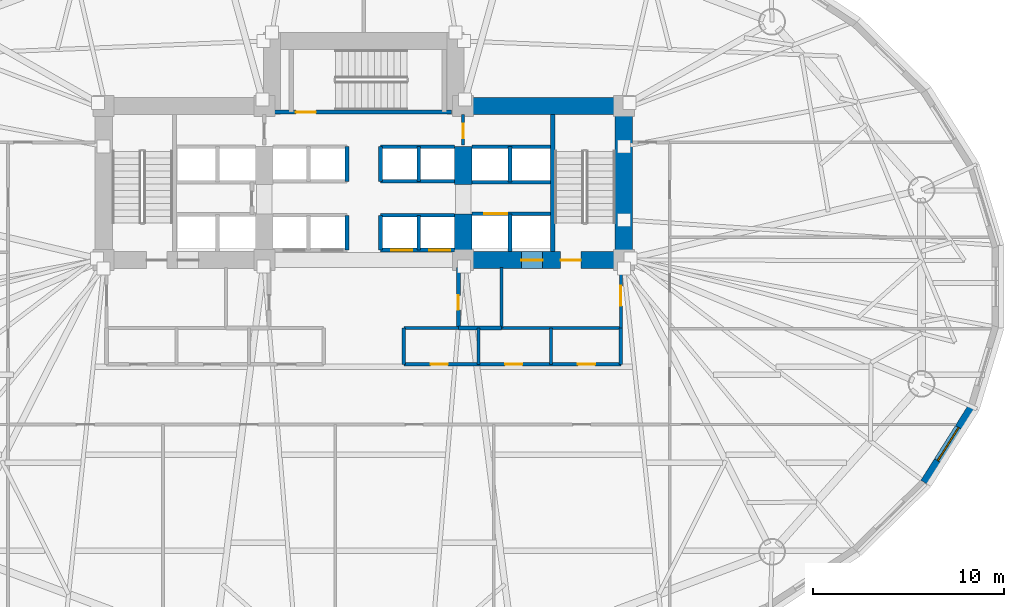
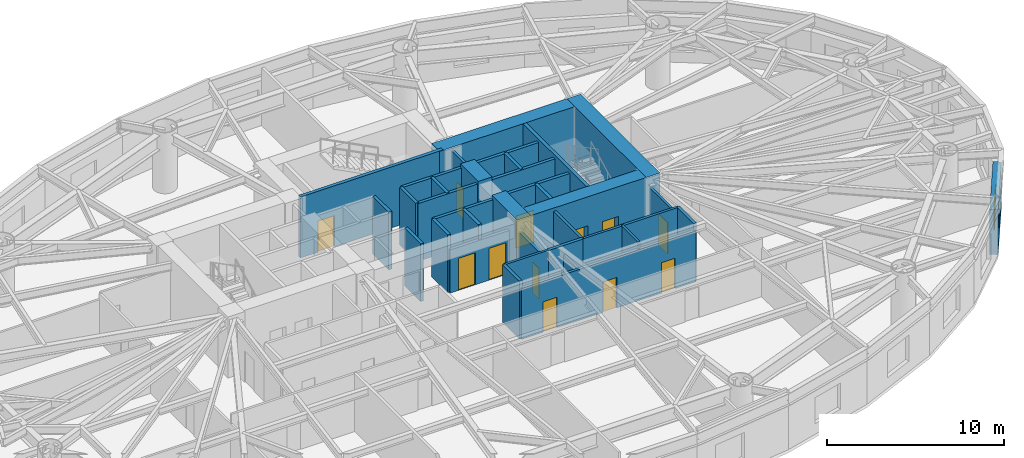
# One storey, part 7 of 14: 35 walls, 12 doors, 1 window, 13 openings.
"""IFC4 building model written with IfcOpenShell, lengths in metres."""

from ifc_helpers import new_model, si_unit, direction, frame, frame_2d, origin, place, context, subcontext, project, spatial, rectangle, extrude, material, layer, layer_set, type_object, element, fill, save


model = new_model("IFC4")

# Units and contexts
model_context = context("Model", 3, precision=1e-05, world=origin(), true_north=direction((0.0, 1.0)))
body_context = subcontext(model_context, "Body", "Model", "MODEL_VIEW")
ifc_project = project(units=[si_unit("LENGTHUNIT", "METRE"), si_unit("AREAUNIT", "SQUARE_METRE"), si_unit("VOLUMEUNIT", "CUBIC_METRE"), si_unit("PLANEANGLEUNIT", "RADIAN"), si_unit("MASSUNIT", "GRAM", prefix="KILO")], contexts=[model_context])

# Site, building, storey
site_placement = place(None, origin())
site = spatial("IfcSite", under=ifc_project, at=site_placement, CompositionType="ELEMENT")
building_placement = place(site_placement, origin())
building = spatial("IfcBuilding", under=site, at=building_placement, Name="Keldmark Tower", CompositionType="ELEMENT")
storey_placement = place(building_placement, frame((0.0, 0.0, 18.60009765625)))
storey = spatial("IfcBuildingStorey", under=building, at=storey_placement, Name="L04", CompositionType="ELEMENT", Elevation=18.60009765625)

# Wall, openings, doors
ifc_material_1 = material(Name="Heavy Acoustic Plumbing Chase Gypsum Assembly", Category="gypsum")
ifc_layer_1 = layer(ifc_material_1, 0.18994140625)
ifc_layer_set_1 = layer_set([ifc_layer_1], Name="Heavy Acoustic Plumbing Chase Gypsum Assembly")
wall_type_1 = type_object("IfcWallType", Name="Heavy Wet Wall 190 mm", PredefinedType="PLUMBINGWALL", material=ifc_layer_set_1)
wall_1_placement = place(storey_placement, frame((2.10009765625, -4.050048828125, 0.0), z_axis=(0.0, 0.0, 1.0), x_axis=(1.0, 0.0, 0.0)))
wall_1 = element("IfcWall", 1, at=wall_1_placement, inside=storey, type_object=wall_type_1, Name="L04 Heavy Wet Wall 190 mm SPK-E-S", PredefinedType="PLUMBINGWALL", context=body_context, shape_type="SweptSolid", body=[
    extrude(rectangle(XDim=11.349853515625, YDim=0.18994140625, at=frame_2d((5.6748046875, 0.0))), origin(), (0.0, 0.0, 1.0), 3.5068359375),
])
opening_1_placement = place(wall_1_placement, frame((1.39990234375, 0.0, 0.0)))
opening_1 = element("IfcOpeningElement", 2, at=opening_1_placement, cuts=wall_1, Name="Opening D-IN090", PredefinedType="OPENING", context=body_context, shape_type="SweptSolid", body=[
    extrude(rectangle(XDim=0.89990234375, YDim=2.10009765625, at=frame_2d((0.449951171875, 1.050048828125))), frame((0.0, 0.10498046875, 0.0), z_axis=(0.0, -1.0, 0.0), x_axis=(1.0, 0.0, 0.0)), (0.0, 0.0, 1.0), 0.2099609375),
])
opening_2_placement = place(wall_1_placement, frame((5.300048828125, 0.0, 0.0)))
opening_2 = element("IfcOpeningElement", 3, at=opening_2_placement, cuts=wall_1, Name="Opening D-IN090", PredefinedType="OPENING", context=body_context, shape_type="SweptSolid", body=[
    extrude(rectangle(XDim=0.89990234375, YDim=2.10009765625, at=frame_2d((0.449951171875, 1.050048828125))), frame((0.0, 0.10498046875, 0.0), z_axis=(0.0, -1.0, 0.0), x_axis=(1.0, 0.0, 0.0)), (0.0, 0.0, 1.0), 0.2099609375),
])
opening_3_placement = place(wall_1_placement, frame((9.10009765625, 0.0, 0.0)))
opening_3 = element("IfcOpeningElement", 4, at=opening_3_placement, cuts=wall_1, Name="Opening D-IN090", PredefinedType="OPENING", context=body_context, shape_type="SweptSolid", body=[
    extrude(rectangle(XDim=0.89990234375, YDim=2.10009765625, at=frame_2d((0.449951171875, 1.050048828125))), frame((0.0, 0.10498046875, 0.0), z_axis=(0.0, -1.0, 0.0), x_axis=(1.0, 0.0, 0.0)), (0.0, 0.0, 1.0), 0.2099609375),
])
ifc_material_2 = material(Name="Stained American White Oak Veneer", Category="wood")
door_type_1 = type_object("IfcDoorType", Name="Interior Door 900x2100", OperationType="NOTDEFINED", PredefinedType="DOOR", material=ifc_material_2)
door_1_placement = place(opening_1_placement, origin())
door_1 = element("IfcDoor", 5, at=door_1_placement, inside=storey, type_object=door_type_1, Name="L04 Interior Door 900x2100 D-SPKE1-L04", OperationType="SINGLE_SWING_RIGHT", OverallHeight=2.10009765625, OverallWidth=0.89990234375, PredefinedType="DOOR", context=body_context, shape_type="SweptSolid", body=[
    extrude(rectangle(XDim=0.89990234375, YDim=2.10009765625, at=frame_2d((0.449951171875, 1.050048828125))), frame((0.0, 0.02490234375, 0.0), z_axis=(0.0, -1.0, 0.0), x_axis=(1.0, 0.0, 0.0)), (0.0, 0.0, 1.0), 0.050048828125),
])
fill(opening_1, door_1)
door_2_placement = place(opening_2_placement, origin())
door_2 = element("IfcDoor", 6, at=door_2_placement, inside=storey, type_object=door_type_1, Name="L04 Interior Door 900x2100 D-SPKE2-L04", OperationType="SINGLE_SWING_LEFT", OverallHeight=2.10009765625, OverallWidth=0.89990234375, PredefinedType="DOOR", context=body_context, shape_type="SweptSolid", body=[
    extrude(rectangle(XDim=0.89990234375, YDim=2.10009765625, at=frame_2d((0.449951171875, 1.050048828125))), frame((0.0, 0.02490234375, 0.0), z_axis=(0.0, -1.0, 0.0), x_axis=(1.0, 0.0, 0.0)), (0.0, 0.0, 1.0), 0.050048828125),
])
fill(opening_2, door_2)
door_3_placement = place(opening_3_placement, origin())
door_3 = element("IfcDoor", 7, at=door_3_placement, inside=storey, type_object=door_type_1, Name="L04 Interior Door 900x2100 D-SPKE3-L04", OperationType="SINGLE_SWING_RIGHT", OverallHeight=2.10009765625, OverallWidth=0.89990234375, PredefinedType="DOOR", context=body_context, shape_type="SweptSolid", body=[
    extrude(rectangle(XDim=0.89990234375, YDim=2.10009765625, at=frame_2d((0.449951171875, 1.050048828125))), frame((0.0, 0.02490234375, 0.0), z_axis=(0.0, -1.0, 0.0), x_axis=(1.0, 0.0, 0.0)), (0.0, 0.0, 1.0), 0.050048828125),
])
fill(opening_3, door_3)

# Walls
for number, where, z_axis, x_axis, name in (
    (8, (2.10009765625, -4.050048828125, 0.0), (0.0, 0.0, 1.0), (0.0, 1.0, 0.0), "L04 Heavy Wet Wall 190 mm SPK-E-W"),
    (9, (13.449951171875, -4.050048828125, 0.0), (0.0, 0.0, 1.0), (0.0, 1.0, 0.0), "L04 Heavy Wet Wall 190 mm SPK-E-E"),
):
    element("IfcWall", number, at=place(storey_placement, frame(where, z_axis=z_axis, x_axis=x_axis)), inside=storey, type_object=wall_type_1, Name=name, PredefinedType="PLUMBINGWALL", context=body_context, shape_type="SweptSolid", body=[
        extrude(rectangle(XDim=1.900146484375, YDim=0.18994140625, at=frame_2d((0.9501953125, 0.0))), origin(), (0.0, 0.0, 1.0), 3.97998046875),
    ])
ifc_material_3 = material(Name="Concrete C70/85", Category="concrete")
ifc_layer_2 = layer(ifc_material_3, 0.89990234375)
ifc_layer_set_2 = layer_set([ifc_layer_2], Name="Concrete C70/85")
wall_type_2 = type_object("IfcWallType", Name="Lower Core Shear Wall 900 mm", PredefinedType="SHEAR", material=ifc_layer_set_2)
wall_2_placement = place(storey_placement, frame((13.60009765625, 0.949951171875, 0.0), z_axis=(0.0, 0.0, 1.0), x_axis=(0.0, 1.0, 0.0)))
element("IfcWall", 10, at=wall_2_placement, inside=storey, type_object=wall_type_2, Name="L04 East Core Outer Shear Wall", PredefinedType="SHEAR", context=body_context, shape_type="SweptSolid", body=[
    extrude(rectangle(XDim=8.949951171875, YDim=0.89990234375, at=frame_2d((4.47509765625, 0.0))), origin(), (0.0, 0.0, 1.0), 4.199951171875),
])
wall_3_placement = place(storey_placement, frame((4.35009765625, 9.449951171875, 0.0), z_axis=(0.0, 0.0, 1.0), x_axis=(1.0, 0.0, 0.0)))
element("IfcWall", 11, at=wall_3_placement, inside=storey, type_object=wall_type_2, Name="L04 East Core North Shear Wall", PredefinedType="SHEAR", context=body_context, shape_type="SweptSolid", body=[
    extrude(rectangle(XDim=9.699951171875, YDim=0.89990234375, at=frame_2d((4.85009765625, 0.0))), origin(), (0.0, 0.0, 1.0), 4.199951171875),
])

# Wall, openings, doors
wall_4_placement = place(storey_placement, frame((14.050048828125, 1.39990234375, 0.0), z_axis=(0.0, 0.0, 1.0), x_axis=(-1.0, 0.0, 0.0)))
wall_4 = element("IfcWall", 12, at=wall_4_placement, inside=storey, type_object=wall_type_2, Name="L04 East Core South Shear Wall", PredefinedType="SHEAR", context=body_context, shape_type="SweptSolid", body=[
    extrude(rectangle(XDim=9.300048828125, YDim=0.89990234375, at=frame_2d((4.64990234375, 0.0))), origin(), (0.0, 0.0, 1.0), 4.199951171875),
])
opening_4_placement = place(wall_4_placement, frame((2.699951171875, 0.0, 0.0)))
opening_4 = element("IfcOpeningElement", 13, at=opening_4_placement, cuts=wall_4, Name="Opening D-ST105", PredefinedType="OPENING", context=body_context, shape_type="SweptSolid", body=[
    extrude(rectangle(XDim=1.050048828125, YDim=2.14990234375, at=frame_2d((0.52490234375, 1.074951171875))), frame((0.0, 0.4599609375, 0.0), z_axis=(0.0, -1.0, 0.0), x_axis=(1.0, 0.0, 0.0)), (0.0, 0.0, 1.0), 0.919921875),
])
opening_5_placement = place(wall_4_placement, frame((4.699951171875, 0.0, 0.0)))
opening_5 = element("IfcOpeningElement", 14, at=opening_5_placement, cuts=wall_4, Name="Opening LD-110", PredefinedType="OPENING", context=body_context, shape_type="SweptSolid", body=[
    extrude(rectangle(XDim=1.10009765625, YDim=2.199951171875, at=frame_2d((0.550048828125, 1.10009765625))), frame((0.0, 0.4599609375, 0.0), z_axis=(0.0, -1.0, 0.0), x_axis=(1.0, 0.0, 0.0)), (0.0, 0.0, 1.0), 0.919921875),
])
ifc_material_4 = material(Name="Brushed Bronze Hoistway Sliding Leaf", Category="metal")
door_type_2 = type_object("IfcDoorType", Name="Lift Landing Sliding Door 1100x2200", OperationType="SLIDING_TO_LEFT", PredefinedType="DOOR", material=ifc_material_4)
door_4_placement = place(opening_5_placement, origin())
door_4 = element("IfcDoor", 15, at=door_4_placement, inside=storey, type_object=door_type_2, Name="L04 Lift Landing Sliding Door 1100x2200 LD-EL-FS2-L04", OperationType="SLIDING_TO_LEFT", OverallHeight=2.199951171875, OverallWidth=1.10009765625, PredefinedType="DOOR", context=body_context, shape_type="SweptSolid", body=[
    extrude(rectangle(XDim=1.10009765625, YDim=2.199951171875, at=frame_2d((0.550048828125, 1.10009765625))), frame((0.0, 0.02490234375, 0.0), z_axis=(0.0, -1.0, 0.0), x_axis=(1.0, 0.0, 0.0)), (0.0, 0.0, 1.0), 0.050048828125),
])
fill(opening_5, door_4)
ifc_material_5 = material(Name="Hollow Metal Fire-Rated Door Assembly", Category="metal")
door_type_3 = type_object("IfcDoorType", Name="Stair Fire Door 1050x2150", OperationType="NOTDEFINED", PredefinedType="DOOR", material=ifc_material_5)
door_5_placement = place(opening_4_placement, origin())
door_5 = element("IfcDoor", 16, at=door_5_placement, inside=storey, type_object=door_type_3, Name="L04 Stair Fire Door 1050x2150 D-ST2-L04", OperationType="SINGLE_SWING_LEFT", OverallHeight=2.14990234375, OverallWidth=1.050048828125, PredefinedType="DOOR", context=body_context, shape_type="SweptSolid", body=[
    extrude(rectangle(XDim=1.050048828125, YDim=2.14990234375, at=frame_2d((0.52490234375, 1.074951171875))), frame((0.0, 0.02490234375, 0.0), z_axis=(0.0, -1.0, 0.0), x_axis=(1.0, 0.0, 0.0)), (0.0, 0.0, 1.0), 0.050048828125),
])
fill(opening_4, door_5)

# Walls
wall_5_placement = place(storey_placement, frame((5.199951171875, 0.949951171875, 0.0), z_axis=(0.0, 0.0, 1.0), x_axis=(0.0, 1.0, 0.0)))
element("IfcWall", 17, at=wall_5_placement, inside=storey, type_object=wall_type_2, Name="L04 East Core Inner Shear Pier South", PredefinedType="SHEAR", context=body_context, shape_type="SweptSolid", body=[
    extrude(rectangle(XDim=2.85009765625, YDim=0.89990234375, at=frame_2d((1.425048828125, 0.0))), origin(), (0.0, 0.0, 1.0), 4.199951171875),
])
wall_6_placement = place(storey_placement, frame((5.199951171875, 5.35009765625, 0.0), z_axis=(0.0, 0.0, 1.0), x_axis=(0.0, 1.0, 0.0)))
element("IfcWall", 18, at=wall_6_placement, inside=storey, type_object=wall_type_2, Name="L04 East Core Inner Shear Pier North", PredefinedType="SHEAR", context=body_context, shape_type="SweptSolid", body=[
    extrude(rectangle(XDim=2.0, YDim=0.89990234375, at=frame_2d((1.0, 0.0))), origin(), (0.0, 0.0, 1.0), 4.199951171875),
])

# Wall, opening, window
ifc_material_6 = material(Name="Ironspot Manganese Brick and Kasota Buff Limestone Cavity Assembly", Category="masonry")
ifc_layer_3 = layer(ifc_material_6, 0.47998046875)
ifc_layer_set_3 = layer_set([ifc_layer_3], Name="Ironspot Manganese Brick and Kasota Buff Limestone Cavity Assembly")
wall_type_3 = type_object("IfcWallType", Name="Podium Brick and Limestone Cavity Wall 480 mm", PredefinedType="STANDARD", material=ifc_layer_set_3)
wall_7_placement = place(storey_placement, frame((31.8544921875, -6.25830078125, 0.0), z_axis=(0.0, 0.0, 1.0), x_axis=(-0.53349762721, -0.845801561693, 0.0)))
wall_7 = element("IfcWall", 19, at=wall_7_placement, inside=storey, type_object=wall_type_3, Name="L04 Exterior Brick and Spandrel Wall 30", PredefinedType="STANDARD", context=body_context, shape_type="SweptSolid", body=[
    extrude(rectangle(XDim=4.710693359375, YDim=0.47998046875, at=frame_2d((2.35546875, 0.0))), origin(), (0.0, 0.0, 1.0), 3.10888671875),
])
opening_6_placement = place(wall_7_placement, frame((1.330322265625, 0.0, 0.719970703125)))
opening_6 = element("IfcOpeningElement", 20, at=opening_6_placement, cuts=wall_7, Name="Opening W-07", PredefinedType="OPENING", context=body_context, shape_type="SweptSolid", body=[
    extrude(rectangle(XDim=2.050048828125, YDim=1.800048828125, at=frame_2d((1.02490234375, 0.89990234375))), frame((0.0, 0.25, 0.0), z_axis=(0.0, -1.0, 0.0), x_axis=(1.0, 0.0, 0.0)), (0.0, 0.0, 1.0), 0.5),
])
ifc_material_7 = material(Name="Thermally Broken Anodized Aluminum and Triple Low-E Argon Glazing", Category="aluminium")
window_type = type_object("IfcWindowType", Name="Podium Mezzanine Punched Window 2050x1800", PartitioningType="DOUBLE_PANEL_VERTICAL", PredefinedType="WINDOW", material=ifc_material_7)
window_placement = place(opening_6_placement, origin())
window = element("IfcWindow", 21, at=window_placement, inside=storey, type_object=window_type, Name="L04 Deep-Set Window 30", OverallHeight=1.800048828125, OverallWidth=2.050048828125, PartitioningType="SINGLE_PANEL", PredefinedType="WINDOW", context=body_context, shape_type="SweptSolid", body=[
    extrude(rectangle(XDim=2.050048828125, YDim=1.800048828125, at=frame_2d((1.02490234375, 0.89990234375))), frame((0.0, -0.010009765625, 0.0), z_axis=(0.0, -1.0, 0.0), x_axis=(1.0, 0.0, 0.0)), (0.0, 0.0, 1.0), 0.06005859375),
])
fill(opening_6, window)

# Walls
ifc_material_8 = material(Name="Type X Fire-Rated Gypsum Partition Assembly", Category="gypsum")
ifc_layer_4 = layer(ifc_material_8, 0.1650390625)
ifc_layer_set_4 = layer_set([ifc_layer_4], Name="Type X Fire-Rated Gypsum Partition Assembly")
wall_type_4 = type_object("IfcWallType", Name="Rated Partition 165 mm", PredefinedType="PARTITIONING", material=ifc_layer_set_4)
wall_8_placement = place(storey_placement, frame((7.199951171875, -2.14990234375, 0.0), z_axis=(0.0, 0.0, 1.0), x_axis=(1.0, 0.0, 0.0)))
element("IfcWall", 22, at=wall_8_placement, inside=storey, type_object=wall_type_4, Name="L04 Rated Partition 165 mm FSAE-E-S", PredefinedType="PARTITIONING", context=body_context, shape_type="SweptSolid", body=[
    extrude(rectangle(XDim=6.25, YDim=0.1650390625, at=frame_2d((3.125, 0.0))), origin(), (0.0, 0.0, 1.0), 3.97998046875),
])
wall_9_placement = place(storey_placement, frame((7.199951171875, -2.14990234375, 0.0), z_axis=(0.0, 0.0, 1.0), x_axis=(0.0, 1.0, 0.0)))
element("IfcWall", 23, at=wall_9_placement, inside=storey, type_object=wall_type_4, Name="L04 Rated Partition 165 mm FSAE-E-W", PredefinedType="PARTITIONING", context=body_context, shape_type="SweptSolid", body=[
    extrude(rectangle(XDim=3.14990234375, YDim=0.1650390625, at=frame_2d((1.574951171875, 0.0))), origin(), (0.0, 0.0, 1.0), 3.97998046875),
])

# Wall, opening, door
wall_10_placement = place(storey_placement, frame((13.449951171875, -2.14990234375, 0.0), z_axis=(0.0, 0.0, 1.0), x_axis=(0.0, 1.0, 0.0)))
wall_10 = element("IfcWall", 24, at=wall_10_placement, inside=storey, type_object=wall_type_4, Name="L04 Rated Partition 165 mm FSAE-E-E", PredefinedType="PARTITIONING", context=body_context, shape_type="SweptSolid", body=[
    extrude(rectangle(XDim=3.14990234375, YDim=0.1650390625, at=frame_2d((1.574951171875, 0.0))), origin(), (0.0, 0.0, 1.0), 3.432861328125),
])
opening_7_placement = place(wall_10_placement, frame((1.14990234375, 0.0, 0.0)))
opening_7 = element("IfcOpeningElement", 25, at=opening_7_placement, cuts=wall_10, Name="Opening D-FL105", PredefinedType="OPENING", context=body_context, shape_type="SweptSolid", body=[
    extrude(rectangle(XDim=1.050048828125, YDim=2.14990234375, at=frame_2d((0.52490234375, 1.074951171875))), frame((0.0, 0.092529296875, 0.0), z_axis=(0.0, -1.0, 0.0), x_axis=(1.0, 0.0, 0.0)), (0.0, 0.0, 1.0), 0.18505859375),
])
ifc_material_9 = material(Name="Fire-Rated Mineral-Core Door and Vision Lite", Category="metal")
door_type_4 = type_object("IfcDoorType", Name="Fire Lobby Door 1050x2150", OperationType="NOTDEFINED", PredefinedType="DOOR", material=ifc_material_9)
door_6_placement = place(opening_7_placement, origin())
door_6 = element("IfcDoor", 26, at=door_6_placement, inside=storey, type_object=door_type_4, Name="L04 Fire Lobby Door 1050x2150 D-FSAEE-OUT-L04", OperationType="SINGLE_SWING_LEFT", OverallHeight=2.14990234375, OverallWidth=1.050048828125, PredefinedType="DOOR", context=body_context, shape_type="SweptSolid", body=[
    extrude(rectangle(XDim=1.050048828125, YDim=2.14990234375, at=frame_2d((0.52490234375, 1.074951171875))), frame((0.0, 0.02490234375, 0.0), z_axis=(0.0, -1.0, 0.0), x_axis=(1.0, 0.0, 0.0)), (0.0, 0.0, 1.0), 0.050048828125),
])
fill(opening_7, door_6)

wall_11_placement = place(storey_placement, frame((5.199951171875, 7.419921875, 0.0), z_axis=(0.0, 0.0, 1.0), x_axis=(0.0, 1.0, 0.0)))
wall_11 = element("IfcWall", 27, at=wall_11_placement, inside=storey, type_object=wall_type_4, Name="L04 Rated Partition 165 mm CS-NE-W", PredefinedType="PARTITIONING", context=body_context, shape_type="SweptSolid", body=[
    extrude(rectangle(XDim=1.580078125, YDim=0.1650390625, at=frame_2d((0.7900390625, 0.0))), origin(), (0.0, 0.0, 1.0), 3.97998046875),
])
opening_8_placement = place(wall_11_placement, frame((0.35009765625, 0.0, 0.0)))
opening_8 = element("IfcOpeningElement", 28, at=opening_8_placement, cuts=wall_11, Name="Opening D-RS075", PredefinedType="OPENING", context=body_context, shape_type="SweptSolid", body=[
    extrude(rectangle(XDim=0.75, YDim=2.10009765625, at=frame_2d((0.375, 1.050048828125))), frame((0.0, 0.092529296875, 0.0), z_axis=(0.0, -1.0, 0.0), x_axis=(1.0, 0.0, 0.0)), (0.0, 0.0, 1.0), 0.18505859375),
])
ifc_material_10 = material(Name="Galvanized Fire-Rated Access Leaf", Category="metal")
door_type_5 = type_object("IfcDoorType", Name="Riser Access Door 750x2100", OperationType="NOTDEFINED", PredefinedType="DOOR", material=ifc_material_10)
door_7_placement = place(opening_8_placement, origin())
door_7 = element("IfcDoor", 29, at=door_7_placement, inside=storey, type_object=door_type_5, Name="L04 Riser Access Door 750x2100 D-CSNE1-L04", OperationType="SINGLE_SWING_LEFT", OverallHeight=2.10009765625, OverallWidth=0.75, PredefinedType="DOOR", context=body_context, shape_type="SweptSolid", body=[
    extrude(rectangle(XDim=0.75, YDim=2.10009765625, at=frame_2d((0.375, 1.050048828125))), frame((0.0, 0.02490234375, 0.0), z_axis=(0.0, -1.0, 0.0), x_axis=(1.0, 0.0, 0.0)), (0.0, 0.0, 1.0), 0.050048828125),
])
fill(opening_8, door_7)

# Wall
ifc_material_11 = material(Name="Fire-Resistant Type X Gypsum Shaftliner Coreboard", Category="gypsum")
ifc_layer_5 = layer(ifc_material_11, 0.199951171875)
ifc_layer_set_5 = layer_set([ifc_layer_5], Name="Fire-Resistant Type X Gypsum Shaftliner Coreboard")
wall_type_5 = type_object("IfcWallType", Name="Shaft Wall 200 mm", PredefinedType="SOLIDWALL", material=ifc_layer_set_5)
wall_12_placement = place(storey_placement, frame((4.949951171875, -2.14990234375, 0.0), z_axis=(0.0, 0.0, 1.0), x_axis=(1.0, 0.0, 0.0)))
element("IfcWall", 30, at=wall_12_placement, inside=storey, type_object=wall_type_5, Name="L04 Shaft Wall 200 mm RIS-SE-S", PredefinedType="SOLIDWALL", context=body_context, shape_type="SweptSolid", body=[
    extrude(rectangle(XDim=2.25, YDim=0.199951171875, at=frame_2d((1.125, 0.0))), origin(), (0.0, 0.0, 1.0), 3.97998046875),
])

# Wall, opening, door
wall_13_placement = place(storey_placement, frame((4.949951171875, -2.14990234375, 0.0), z_axis=(0.0, 0.0, 1.0), x_axis=(0.0, 1.0, 0.0)))
wall_13 = element("IfcWall", 31, at=wall_13_placement, inside=storey, type_object=wall_type_5, Name="L04 Shaft Wall 200 mm RIS-SE-W", PredefinedType="SOLIDWALL", context=body_context, shape_type="SweptSolid", body=[
    extrude(rectangle(XDim=3.14990234375, YDim=0.199951171875, at=frame_2d((1.574951171875, 0.0))), origin(), (0.0, 0.0, 1.0), 3.347900390625),
])
opening_9_placement = place(wall_13_placement, frame((0.949951171875, 0.0, 0.0)))
opening_9 = element("IfcOpeningElement", 32, at=opening_9_placement, cuts=wall_13, Name="Opening D-RS075", PredefinedType="OPENING", context=body_context, shape_type="SweptSolid", body=[
    extrude(rectangle(XDim=0.75, YDim=2.10009765625, at=frame_2d((0.375, 1.050048828125))), frame((0.0, 0.10986328125, 0.0), z_axis=(0.0, -1.0, 0.0), x_axis=(1.0, 0.0, 0.0)), (0.0, 0.0, 1.0), 0.219970703125),
])
door_8_placement = place(opening_9_placement, origin())
door_8 = element("IfcDoor", 33, at=door_8_placement, inside=storey, type_object=door_type_5, Name="L04 Riser Access Door 750x2100 D-RISSE-L04", OperationType="SINGLE_SWING_LEFT", OverallHeight=2.10009765625, OverallWidth=0.75, PredefinedType="DOOR", context=body_context, shape_type="SweptSolid", body=[
    extrude(rectangle(XDim=0.75, YDim=2.10009765625, at=frame_2d((0.375, 1.050048828125))), frame((0.0, 0.02490234375, 0.0), z_axis=(0.0, -1.0, 0.0), x_axis=(1.0, 0.0, 0.0)), (0.0, 0.0, 1.0), 0.050048828125),
])
fill(opening_9, door_8)

wall_14_placement = place(storey_placement, frame((5.64990234375, 3.820068359375, 0.0), z_axis=(0.0, 0.0, 1.0), x_axis=(1.0, 0.0, 0.0)))
wall_14 = element("IfcWall", 34, at=wall_14_placement, inside=storey, type_object=wall_type_5, Name="L04 Shaft Wall 200 mm HW-E-S", PredefinedType="SOLIDWALL", context=body_context, shape_type="SweptSolid", body=[
    extrude(rectangle(XDim=4.130126953125, YDim=0.199951171875, at=frame_2d((2.06494140625, 0.0))), origin(), (0.0, 0.0, 1.0), 3.97998046875),
])
opening_10_placement = place(wall_14_placement, frame((0.64990234375, 0.0, 0.0)))
opening_10 = element("IfcOpeningElement", 35, at=opening_10_placement, cuts=wall_14, Name="Opening LD-120", PredefinedType="OPENING", context=body_context, shape_type="SweptSolid", body=[
    extrude(rectangle(XDim=1.199951171875, YDim=2.199951171875, at=frame_2d((0.60009765625, 1.10009765625))), frame((0.0, 0.10986328125, 0.0), z_axis=(0.0, -1.0, 0.0), x_axis=(1.0, 0.0, 0.0)), (0.0, 0.0, 1.0), 0.219970703125),
])
ifc_material_12 = material(Name="Heavy-Duty Brushed Metal Hoistway Sliding Leaf", Category="metal")
door_type_6 = type_object("IfcDoorType", Name="Service Lift Sliding Door 1200x2200", OperationType="SLIDING_TO_RIGHT", PredefinedType="DOOR", material=ifc_material_12)
door_9_placement = place(opening_10_placement, origin())
door_9 = element("IfcDoor", 36, at=door_9_placement, inside=storey, type_object=door_type_6, Name="L04 Service Lift Sliding Door 1200x2200 LD-EL-SV1-L04", OperationType="SLIDING_TO_RIGHT", OverallHeight=2.199951171875, OverallWidth=1.199951171875, PredefinedType="DOOR", context=body_context, shape_type="SweptSolid", body=[
    extrude(rectangle(XDim=1.199951171875, YDim=2.199951171875, at=frame_2d((0.60009765625, 1.10009765625))), frame((0.0, 0.02490234375, 0.0), z_axis=(0.0, -1.0, 0.0), x_axis=(1.0, 0.0, 0.0)), (0.0, 0.0, 1.0), 0.050048828125),
])
fill(opening_10, door_9)

# Walls
wall_15_placement = place(storey_placement, frame((7.64990234375, 1.85009765625, 0.0), z_axis=(0.0, 0.0, 1.0), x_axis=(0.0, 1.0, 0.0)))
element("IfcWall", 37, at=wall_15_placement, inside=storey, type_object=wall_type_5, Name="L04 Shaft Wall 200 mm HW-E-M", PredefinedType="SOLIDWALL", context=body_context, shape_type="SweptSolid", body=[
    extrude(rectangle(XDim=1.969970703125, YDim=0.199951171875, at=frame_2d((0.98486328125, 0.0))), origin(), (0.0, 0.0, 1.0), 3.97998046875),
])
for number, where, z_axis, x_axis, name in (
    (38, (5.64990234375, 5.469970703125, 0.0), (0.0, 0.0, 1.0), (1.0, 0.0, 0.0), "L04 Shaft Wall 200 mm HW-E-N"),
    (39, (5.64990234375, 7.330078125, 0.0), (0.0, 0.0, 1.0), (1.0, 0.0, 0.0), "L04 Shaft Wall 200 mm HW-E-TOP"),
):
    element("IfcWall", number, at=place(storey_placement, frame(where, z_axis=z_axis, x_axis=x_axis)), inside=storey, type_object=wall_type_5, Name=name, PredefinedType="SOLIDWALL", context=body_context, shape_type="SweptSolid", body=[
        extrude(rectangle(XDim=4.130126953125, YDim=0.199951171875, at=frame_2d((2.06494140625, 0.0))), origin(), (0.0, 0.0, 1.0), 3.97998046875),
    ])
wall_16_placement = place(storey_placement, frame((7.64990234375, 5.469970703125, 0.0), z_axis=(0.0, 0.0, 1.0), x_axis=(0.0, 1.0, 0.0)))
element("IfcWall", 40, at=wall_16_placement, inside=storey, type_object=wall_type_5, Name="L04 Shaft Wall 200 mm HW-E-NM", PredefinedType="SOLIDWALL", context=body_context, shape_type="SweptSolid", body=[
    extrude(rectangle(XDim=1.860107421875, YDim=0.199951171875, at=frame_2d((0.93017578125, 0.0))), origin(), (0.0, 0.0, 1.0), 3.97998046875),
])

# Wall, openings, doors
wall_17_placement = place(storey_placement, frame((0.8798828125, 1.919921875, 0.0), z_axis=(0.0, 0.0, 1.0), x_axis=(1.0, 0.0, 0.0)))
wall_17 = element("IfcWall", 41, at=wall_17_placement, inside=storey, type_object=wall_type_5, Name="L04 Shaft Wall 200 mm LOW-S-E", PredefinedType="SOLIDWALL", context=body_context, shape_type="SweptSolid", body=[
    extrude(rectangle(XDim=3.860107421875, YDim=0.199951171875, at=frame_2d((1.93017578125, 0.0))), origin(), (0.0, 0.0, 1.0), 2.969970703125),
])
opening_11_placement = place(wall_17_placement, frame((0.550048828125, 0.0, 0.0)))
opening_11 = element("IfcOpeningElement", 42, at=opening_11_placement, cuts=wall_17, Name="Opening LD-110", PredefinedType="OPENING", context=body_context, shape_type="SweptSolid", body=[
    extrude(rectangle(XDim=1.10009765625, YDim=2.199951171875, at=frame_2d((0.550048828125, 1.10009765625))), frame((0.0, 0.10986328125, 0.0), z_axis=(0.0, -1.0, 0.0), x_axis=(1.0, 0.0, 0.0)), (0.0, 0.0, 1.0), 0.219970703125),
])
opening_12_placement = place(wall_17_placement, frame((2.550048828125, 0.0, 0.0)))
opening_12 = element("IfcOpeningElement", 43, at=opening_12_placement, cuts=wall_17, Name="Opening LD-110", PredefinedType="OPENING", context=body_context, shape_type="SweptSolid", body=[
    extrude(rectangle(XDim=1.10009765625, YDim=2.199951171875, at=frame_2d((0.550048828125, 1.10009765625))), frame((0.0, 0.10986328125, 0.0), z_axis=(0.0, -1.0, 0.0), x_axis=(1.0, 0.0, 0.0)), (0.0, 0.0, 1.0), 0.219970703125),
])
door_10_placement = place(opening_11_placement, origin())
door_10 = element("IfcDoor", 44, at=door_10_placement, inside=storey, type_object=door_type_2, Name="L04 Lift Landing Sliding Door 1100x2200 LD-EL-L3-L04", OperationType="SLIDING_TO_LEFT", OverallHeight=2.199951171875, OverallWidth=1.10009765625, PredefinedType="DOOR", context=body_context, shape_type="SweptSolid", body=[
    extrude(rectangle(XDim=1.10009765625, YDim=2.199951171875, at=frame_2d((0.550048828125, 1.10009765625))), frame((0.0, 0.02490234375, 0.0), z_axis=(0.0, -1.0, 0.0), x_axis=(1.0, 0.0, 0.0)), (0.0, 0.0, 1.0), 0.050048828125),
])
fill(opening_11, door_10)
door_11_placement = place(opening_12_placement, origin())
door_11 = element("IfcDoor", 45, at=door_11_placement, inside=storey, type_object=door_type_2, Name="L04 Lift Landing Sliding Door 1100x2200 LD-EL-L4-L04", OperationType="SLIDING_TO_LEFT", OverallHeight=2.199951171875, OverallWidth=1.10009765625, PredefinedType="DOOR", context=body_context, shape_type="SweptSolid", body=[
    extrude(rectangle(XDim=1.10009765625, YDim=2.199951171875, at=frame_2d((0.550048828125, 1.10009765625))), frame((0.0, 0.02490234375, 0.0), z_axis=(0.0, -1.0, 0.0), x_axis=(1.0, 0.0, 0.0)), (0.0, 0.0, 1.0), 0.050048828125),
])
fill(opening_12, door_11)

# Walls
wall_18_placement = place(storey_placement, frame((0.8798828125, 3.739990234375, 0.0), z_axis=(0.0, 0.0, 1.0), x_axis=(1.0, 0.0, 0.0)))
element("IfcWall", 46, at=wall_18_placement, inside=storey, type_object=wall_type_5, Name="L04 Shaft Wall 200 mm LOW-N-E", PredefinedType="SOLIDWALL", context=body_context, shape_type="SweptSolid", body=[
    extrude(rectangle(XDim=3.860107421875, YDim=0.199951171875, at=frame_2d((1.93017578125, 0.0))), origin(), (0.0, 0.0, 1.0), 3.97998046875),
])
for number, where, z_axis, x_axis, name in (
    (47, (2.8798828125, 1.919921875, 0.0), (0.0, 0.0, 1.0), (0.0, 1.0, 0.0), "L04 Shaft Wall 200 mm LOW-M-E"),
    (48, (-0.8798828125, 1.919921875, 0.0), (0.0, 0.0, 1.0), (0.0, 1.0, 0.0), "L04 Shaft Wall 200 mm LOW-C-W"),
    (49, (0.8798828125, 1.919921875, 0.0), (0.0, 0.0, 1.0), (0.0, 1.0, 0.0), "L04 Shaft Wall 200 mm LOW-C-E"),
):
    element("IfcWall", number, at=place(storey_placement, frame(where, z_axis=z_axis, x_axis=x_axis)), inside=storey, type_object=wall_type_5, Name=name, PredefinedType="SOLIDWALL", context=body_context, shape_type="SweptSolid", body=[
        extrude(rectangle(XDim=1.820068359375, YDim=0.199951171875, at=frame_2d((0.91015625, 0.0))), origin(), (0.0, 0.0, 1.0), 3.97998046875),
    ])
for number, where, z_axis, x_axis, name in (
    (50, (0.8798828125, 5.52001953125, 0.0), (0.0, 0.0, 1.0), (1.0, 0.0, 0.0), "L04 Shaft Wall 200 mm MID-S-E"),
    (51, (0.8798828125, 7.330078125, 0.0), (0.0, 0.0, 1.0), (1.0, 0.0, 0.0), "L04 Shaft Wall 200 mm MID-N-E"),
):
    element("IfcWall", number, at=place(storey_placement, frame(where, z_axis=z_axis, x_axis=x_axis)), inside=storey, type_object=wall_type_5, Name=name, PredefinedType="SOLIDWALL", context=body_context, shape_type="SweptSolid", body=[
        extrude(rectangle(XDim=3.860107421875, YDim=0.199951171875, at=frame_2d((1.93017578125, 0.0))), origin(), (0.0, 0.0, 1.0), 3.97998046875),
    ])
for number, where, z_axis, x_axis, name in (
    (52, (2.8798828125, 5.52001953125, 0.0), (0.0, 0.0, 1.0), (0.0, 1.0, 0.0), "L04 Shaft Wall 200 mm MID-M-E"),
    (53, (-0.8798828125, 5.52001953125, 0.0), (0.0, 0.0, 1.0), (0.0, 1.0, 0.0), "L04 Shaft Wall 200 mm MID-C-W"),
    (54, (0.8798828125, 5.52001953125, 0.0), (0.0, 0.0, 1.0), (0.0, 1.0, 0.0), "L04 Shaft Wall 200 mm MID-C-E"),
):
    element("IfcWall", number, at=place(storey_placement, frame(where, z_axis=z_axis, x_axis=x_axis)), inside=storey, type_object=wall_type_5, Name=name, PredefinedType="SOLIDWALL", context=body_context, shape_type="SweptSolid", body=[
        extrude(rectangle(XDim=1.81005859375, YDim=0.199951171875, at=frame_2d((0.905029296875, 0.0))), origin(), (0.0, 0.0, 1.0), 3.97998046875),
    ])
ifc_material_13 = material(Name="Concrete C50/60", Category="concrete")
ifc_layer_6 = layer(ifc_material_13, 0.219970703125)
ifc_layer_set_6 = layer_set([ifc_layer_6], Name="Concrete C50/60")
wall_type_6 = type_object("IfcWallType", Name="Stair Core Shear Wall 220 mm", PredefinedType="SHEAR", material=ifc_layer_set_6)
wall_19_placement = place(storey_placement, frame((9.889892578125, 1.85009765625, 0.0), z_axis=(0.0, 0.0, 1.0), x_axis=(0.0, 1.0, 0.0)))
element("IfcWall", 55, at=wall_19_placement, inside=storey, type_object=wall_type_6, Name="L04 East Stair Core Shear Wall", PredefinedType="SHEAR", context=body_context, shape_type="SweptSolid", body=[
    extrude(rectangle(XDim=7.14990234375, YDim=0.219970703125, at=frame_2d((3.574951171875, 0.0))), origin(), (0.0, 0.0, 1.0), 4.199951171875),
])

# Wall, opening, door
wall_20_placement = place(storey_placement, frame((-4.699951171875, 9.139892578125, 0.0), z_axis=(0.0, 0.0, 1.0), x_axis=(1.0, 0.0, 0.0)))
wall_20 = element("IfcWall", 56, at=wall_20_placement, inside=storey, type_object=wall_type_6, Name="L04 Central Stair Core South Shear Wall", PredefinedType="SHEAR", context=body_context, shape_type="SweptSolid", body=[
    extrude(rectangle(XDim=9.300048828125, YDim=0.219970703125, at=frame_2d((4.64990234375, 0.0))), origin(), (0.0, 0.0, 1.0), 4.199951171875),
])
opening_13_placement = place(wall_20_placement, frame((1.14990234375, 0.0, 0.0)))
opening_13 = element("IfcOpeningElement", 57, at=opening_13_placement, cuts=wall_20, Name="Opening D-ST105", PredefinedType="OPENING", context=body_context, shape_type="SweptSolid", body=[
    extrude(rectangle(XDim=1.050048828125, YDim=2.14990234375, at=frame_2d((0.52490234375, 1.074951171875))), frame((0.0, 0.119873046875, 0.0), z_axis=(0.0, -1.0, 0.0), x_axis=(1.0, 0.0, 0.0)), (0.0, 0.0, 1.0), 0.239990234375),
])
door_12_placement = place(opening_13_placement, origin())
door_12 = element("IfcDoor", 58, at=door_12_placement, inside=storey, type_object=door_type_3, Name="L04 Stair Fire Door 1050x2150 D-ST3-L04", OperationType="SINGLE_SWING_RIGHT", OverallHeight=2.14990234375, OverallWidth=1.050048828125, PredefinedType="DOOR", context=body_context, shape_type="SweptSolid", body=[
    extrude(rectangle(XDim=1.050048828125, YDim=2.14990234375, at=frame_2d((0.52490234375, 1.074951171875))), frame((0.0, 0.02490234375, 0.0), z_axis=(0.0, -1.0, 0.0), x_axis=(1.0, 0.0, 0.0)), (0.0, 0.0, 1.0), 0.050048828125),
])
fill(opening_13, door_12)

# Walls
ifc_material_14 = material(Name="Moisture-Resistant Gypsum Plumbing Partition", Category="gypsum")
ifc_layer_7 = layer(ifc_material_14, 0.14990234375)
ifc_layer_set_7 = layer_set([ifc_layer_7], Name="Moisture-Resistant Gypsum Plumbing Partition")
wall_type_7 = type_object("IfcWallType", Name="Wet Wall 150 mm", PredefinedType="PLUMBINGWALL", material=ifc_layer_set_7)
wall_21_placement = place(storey_placement, frame((2.10009765625, -2.14990234375, 0.0), z_axis=(0.0, 0.0, 1.0), x_axis=(1.0, 0.0, 0.0)))
element("IfcWall", 59, at=wall_21_placement, inside=storey, type_object=wall_type_7, Name="L04 Wet Wall 150 mm SPK-E-N", PredefinedType="PLUMBINGWALL", context=body_context, shape_type="SweptSolid", body=[
    extrude(rectangle(XDim=2.849853515625, YDim=0.14990234375, at=frame_2d((1.4248046875, 0.0))), origin(), (0.0, 0.0, 1.0), 3.97998046875),
])
wall_22_placement = place(storey_placement, frame((6.0, -4.050048828125, 0.0), z_axis=(0.0, 0.0, 1.0), x_axis=(0.0, 1.0, 0.0)))
element("IfcWall", 60, at=wall_22_placement, inside=storey, type_object=wall_type_7, Name="L04 Wet Wall 150 mm SPK-E-D1", PredefinedType="PLUMBINGWALL", context=body_context, shape_type="SweptSolid", body=[
    extrude(rectangle(XDim=1.900146484375, YDim=0.14990234375, at=frame_2d((0.9501953125, 0.0))), origin(), (0.0, 0.0, 1.0), 3.347900390625),
])
wall_23_placement = place(storey_placement, frame((9.800048828125, -4.050048828125, 0.0), z_axis=(0.0, 0.0, 1.0), x_axis=(0.0, 1.0, 0.0)))
element("IfcWall", 61, at=wall_23_placement, inside=storey, type_object=wall_type_7, Name="L04 Wet Wall 150 mm SPK-E-D2", PredefinedType="PLUMBINGWALL", context=body_context, shape_type="SweptSolid", body=[
    extrude(rectangle(XDim=1.900146484375, YDim=0.14990234375, at=frame_2d((0.9501953125, 0.0))), origin(), (0.0, 0.0, 1.0), 3.97998046875),
])

save(model, "model.ifc")
